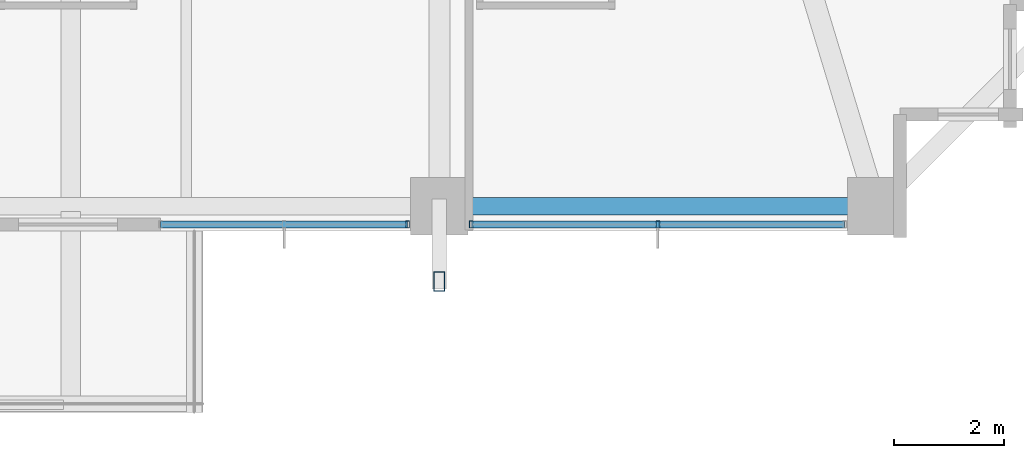
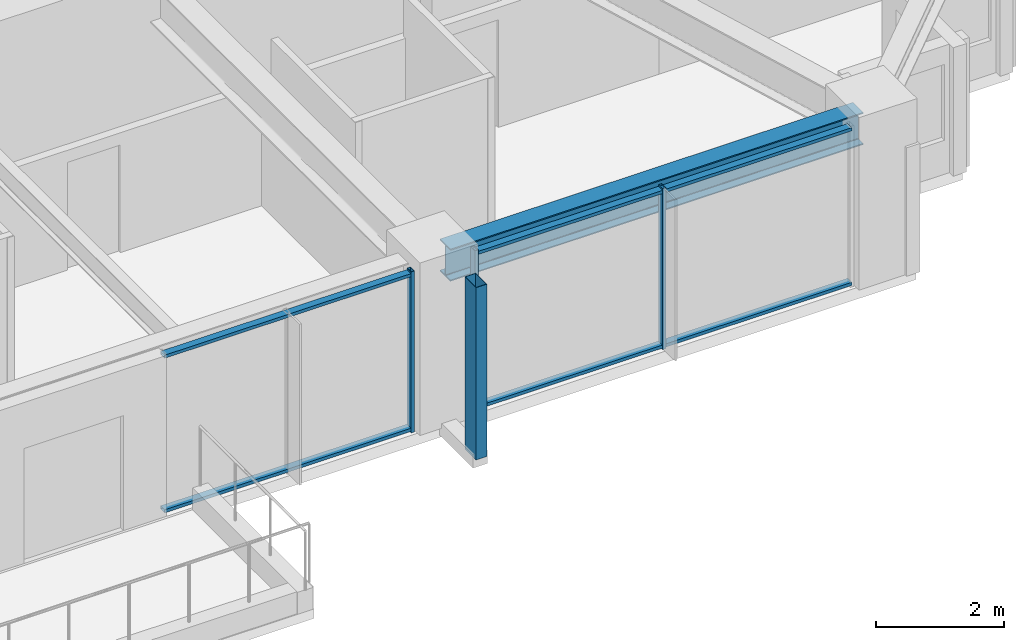
# One storey, part 6 of 38: 8 members, 1 beam, 2 elements without a shape of their own.
"""IFC4 building model written with IfcOpenShell, lengths in metres."""

import ifcopenshell
import ifcopenshell.guid

model = None  # the IFC model being written
_history = None  # IfcOwnerHistory: only IFC2X3 demands one
_inside = {}  # id of a spatial element -> (the spatial element, [elements in it])
_under = {}  # id of a project, library or spatial element -> (it, [spatial elements below it])
_declared = {}  # id of a project -> (the project, [libraries it declares])
_typed = {}  # id of a type object -> (the type object, [elements of that type])
_made_of = {}  # id of a material, layer set ... -> (it, [elements and type objects made of it])


def new_model(schema):
    """Start an empty IFC model of exactly this schema.

    Asked for "IFC4X3", IfcOpenShell would pick the latest addendum, in which some entities
    have other attributes; the version numbers below select the first issue.
    IFC2X3 requires an IfcOwnerHistory on every rooted entity: one is made here for all.
    """
    global model, _history
    if schema == "IFC4X3":
        model = ifcopenshell.file(schema_version=(4, 3, 0, 0))
    else:
        model = ifcopenshell.file(schema=schema)
    _inside.clear()
    _under.clear()
    _declared.clear()
    _typed.clear()
    _made_of.clear()
    _history = None
    if model.schema == "IFC2X3":
        org = make("IfcOrganization", Name="unknown")
        user = make(
            "IfcPersonAndOrganization",
            ThePerson=make("IfcPerson", FamilyName="unknown"),
            TheOrganization=org,
        )
        app = make(
            "IfcApplication",
            ApplicationDeveloper=org,
            Version="unknown",
            ApplicationFullName="unknown",
            ApplicationIdentifier="unknown",
        )
        _history = make(
            "IfcOwnerHistory",
            OwningUser=user,
            OwningApplication=app,
            ChangeAction="ADDED",
            CreationDate=0,
        )
    return model


def make(cls, **values):
    """One entity of the class cls with the attributes given. An attribute that is None is left unset."""
    return model.create_entity(
        cls, **{name: value for name, value in values.items() if value is not None}
    )


def rooted(cls, **values):
    """An entity with a GlobalId (a new one), such as an element, a storey or a relation."""
    return make(cls, GlobalId=ifcopenshell.guid.new(), OwnerHistory=_history, **values)


def si_unit(unit_type, name, prefix=None):
    """IfcSIUnit, for example si_unit("LENGTHUNIT", "METRE", prefix="MILLI")."""
    return make("IfcSIUnit", UnitType=unit_type, Prefix=prefix, Name=name)


def assignment(units):
    """IfcUnitAssignment: the units of a project."""
    return None if units is None else make("IfcUnitAssignment", Units=units)


def point(xyz):
    """IfcCartesianPoint."""
    return None if xyz is None else make("IfcCartesianPoint", Coordinates=xyz)


def direction(xyz):
    """IfcDirection."""
    return None if xyz is None else make("IfcDirection", DirectionRatios=xyz)


def frame(location, z_axis=None, x_axis=None):
    """IfcAxis2Placement3D, a coordinate frame: its origin and axes. An axis left out is left unset."""
    return make(
        "IfcAxis2Placement3D",
        Location=point(location),
        Axis=direction(z_axis),
        RefDirection=direction(x_axis),
    )


def frame_2d(location, x_axis=None):
    """IfcAxis2Placement2D, a coordinate frame in the plane: its origin and x axis."""
    return make(
        "IfcAxis2Placement2D", Location=point(location), RefDirection=direction(x_axis)
    )


def origin():
    """The frame at (0, 0, 0) with its axes left unset."""
    return frame((0.0, 0.0, 0.0))


def origin_2d():
    """The frame at (0, 0) in the plane with its x axis left unset."""
    return frame_2d((0.0, 0.0))


def place(relative_to, where):
    """IfcLocalPlacement: puts the frame where relative to a parent placement (None: the world)."""
    return make(
        "IfcLocalPlacement", PlacementRelTo=relative_to, RelativePlacement=where
    )


def context(
    kind, dimensions, precision=None, world=None, true_north=None, identifier=None
):
    """IfcGeometricRepresentationContext, for example the 3D "Model" context."""
    return make(
        "IfcGeometricRepresentationContext",
        ContextIdentifier=identifier,
        ContextType=kind,
        CoordinateSpaceDimension=dimensions,
        Precision=precision,
        WorldCoordinateSystem=world,
        TrueNorth=true_north,
    )


def subcontext(parent, identifier, kind, view, scale=None):
    """IfcGeometricRepresentationSubContext, for example "Body" below "Model"."""
    return make(
        "IfcGeometricRepresentationSubContext",
        ContextIdentifier=identifier,
        ContextType=kind,
        ParentContext=parent,
        TargetScale=scale,
        TargetView=view,
    )


def project(units=None, contexts=None):
    """IfcProject with its units and contexts."""
    return rooted(
        "IfcProject",
        Name="project",
        RepresentationContexts=contexts,
        UnitsInContext=assignment(units),
    )


def spatial(cls, under=None, at=None, **own):
    """A site, building, storey or space (cls), placed at a placement, below another one or the project."""
    s = rooted(cls, ObjectPlacement=at, **own)
    if under is not None:
        _under.setdefault(under.id(), (under, []))[1].append(s)
    return s


def profile(cls, at=None, kind="AREA", **sizes):
    """A parametric profile (cls). Its sizes go by their IFC names, for example OverallWidth=200.0."""
    return make(cls, ProfileType=kind, Position=at, **sizes)


def hollow_rectangle(**sizes):
    """IfcRectangleHollowProfileDef."""
    return profile("IfcRectangleHollowProfileDef", **sizes)


def i_section(**sizes):
    """IfcIShapeProfileDef."""
    return profile("IfcIShapeProfileDef", **sizes)


def extrude(swept, where, along, depth):
    """IfcExtrudedAreaSolid: the profile swept, set in the frame where, extruded along a direction by depth."""
    return make(
        "IfcExtrudedAreaSolid",
        SweptArea=swept,
        Position=where,
        ExtrudedDirection=direction(along),
        Depth=depth,
    )


def shape(context_of_items, identifier, shape_type, items):
    """IfcShapeRepresentation: the items that make up one representation, for example the "Body"."""
    return make(
        "IfcShapeRepresentation",
        ContextOfItems=context_of_items,
        RepresentationIdentifier=identifier,
        RepresentationType=shape_type,
        Items=items,
    )


def material(Name=None, Category=None):
    """IfcMaterial."""
    return make("IfcMaterial", Name=Name, Category=Category)


def material_profile(
    of_material, cross_section, Name=None, Category=None, Priority=None
):
    """IfcMaterialProfile: a cross section and its material."""
    return make(
        "IfcMaterialProfile",
        Name=Name,
        Material=of_material,
        Profile=cross_section,
        Priority=Priority,
        Category=Category,
    )


def profile_set(profiles, Name=None, composite=None):
    """IfcMaterialProfileSet."""
    return make(
        "IfcMaterialProfileSet",
        Name=Name,
        MaterialProfiles=profiles,
        CompositeProfile=composite,
    )


def made_of(thing, what):
    """Note that an element or type object is made of a material, layer set ...; save() writes the relation."""
    if what is not None:
        _made_of.setdefault(what.id(), (what, []))[1].append(thing)
    return thing


def type_object(cls, material=None, **own):
    """A type object (cls), such as IfcWallType, which elements share."""
    return made_of(rooted(cls, **own), material)


def element(
    cls,
    number,
    at=None,
    inside=None,
    cuts=None,
    type_object=None,
    material=None,
    context=None,
    identifier="Body",
    shape_type=None,
    held_by="IfcProductDefinitionShape",
    body=None,
    shapes=None,
    **own,
):
    """One element of the class cls, such as IfcWall. Its Tag is "e" and its number.

    at: its placement. inside: the storey or other place that contains it. cuts: it is an
    opening in that element (IfcRelVoidsElement). A single representation is given by context,
    identifier, shape_type and body (its items); several are given by shapes. held_by: the class
    of the entity that holds the representations. save() writes the other relations.
    """
    e = rooted(cls, Tag="e%d" % number, ObjectPlacement=at, **own)
    if body is not None:
        shapes = [shape(context, identifier, shape_type, body)]
    if shapes is not None:
        e.Representation = make(held_by, Representations=shapes)
    if inside is not None:
        _inside.setdefault(inside.id(), (inside, []))[1].append(e)
    if cuts is not None:
        rooted(
            "IfcRelVoidsElement", RelatingBuildingElement=cuts, RelatedOpeningElement=e
        )
    if type_object is not None:
        _typed.setdefault(type_object.id(), (type_object, []))[1].append(e)
    return made_of(e, material)


def aggregate(whole, parts):
    """IfcRelAggregates: a whole, such as a stair, and the parts it consists of."""
    return rooted("IfcRelAggregates", RelatingObject=whole, RelatedObjects=parts)


def save(model, path):
    """Write the relations noted so far, then the file.

    IfcRelAggregates (storeys below a building ...), IfcRelContainedInSpatialStructure (elements
    in a storey), IfcRelDefinesByType, IfcRelAssociatesMaterial and IfcRelDeclares: one each for
    every whole, place, type object, material and project.
    """
    for whole, parts in _under.values():
        aggregate(whole, parts)
    for where, things in _inside.values():
        rooted(
            "IfcRelContainedInSpatialStructure",
            RelatedElements=things,
            RelatingStructure=where,
        )
    for kind, things in _typed.values():
        rooted("IfcRelDefinesByType", RelatedObjects=things, RelatingType=kind)
    for what, things in _made_of.values():
        rooted("IfcRelAssociatesMaterial", RelatedObjects=things, RelatingMaterial=what)
    for by, libraries in _declared.values():
        rooted("IfcRelDeclares", RelatingContext=by, RelatedDefinitions=libraries)
    model.write(path)


model = new_model("IFC4")

# Units and contexts
model_context = context("Model", 3, precision=1e-05, world=origin(), true_north=direction((0.0, 1.0)))
body_context = subcontext(model_context, "Body", "Model", "MODEL_VIEW")
ifc_project = project(units=[si_unit("LENGTHUNIT", "METRE"), si_unit("AREAUNIT", "SQUARE_METRE"), si_unit("VOLUMEUNIT", "CUBIC_METRE"), si_unit("PLANEANGLEUNIT", "RADIAN"), si_unit("MASSUNIT", "GRAM", prefix="KILO")], contexts=[model_context])

# Site, building, storey
site_placement = place(None, origin())
site = spatial("IfcSite", under=ifc_project, at=site_placement, CompositionType="ELEMENT")
building_placement = place(site_placement, origin())
building = spatial("IfcBuilding", under=site, at=building_placement, Name="Kolvaren Belvedere", CompositionType="ELEMENT")
storey_placement = place(building_placement, frame((0.0, 0.0, 121.699951171875)))
storey = spatial("IfcBuildingStorey", under=building, at=storey_placement, Name="L35", CompositionType="ELEMENT", Elevation=121.699951171875)

# Beam
ifc_material_1 = material(Name="Structural steel ASTM A992 Grade 50", Category="steel")
ifc_material_profile_1 = material_profile(ifc_material_1, i_section(OverallWidth=0.324951171875, OverallDepth=0.615966796875, WebThickness=0.013916015625, FlangeThickness=0.021484375, FilletRadius=0.02001953125, at=origin_2d()), Name="W24X117")
ifc_profile_set_1 = profile_set([ifc_material_profile_1], Name="Structural steel ASTM A992 Grade 50")
beam_type = type_object("IfcBeamType", Name="BM-SPAN-W24X117", PredefinedType="SPANDREL", material=ifc_profile_set_1)
beam_placement = place(storey_placement, frame((4.836181640625, -18.64990234375, 2.77197265625), z_axis=(1.0, 0.0, 0.0), x_axis=(0.0, 1.0, 0.0)))
element("IfcBeam", 1, at=beam_placement, inside=storey, type_object=beam_type, Name="L35 Perimeter Spandrel S3-S4", PredefinedType="SPANDREL", context=body_context, shape_type="SweptSolid", body=[
    extrude(i_section(OverallWidth=0.324951171875, OverallDepth=0.615966796875, WebThickness=0.013916015625, FlangeThickness=0.021484375, FilletRadius=0.02001953125, at=origin_2d()), origin(), (0.0, 0.0, 1.0), 7.4775390625),
])

# Curtain wall, members
ifc_material_2 = material(Name="Anodised pale-metal aluminium AA 6063-T6", Category="aluminium")
curtain_wall_type = type_object("IfcCurtainWallType", Name="CW-Z3-WAIST", PredefinedType="NOTDEFINED", material=ifc_material_2)
curtain_wall_1_placement = place(storey_placement, origin())
curtain_wall_1 = element("IfcCurtainWall", 2, at=curtain_wall_1_placement, inside=storey, type_object=curtain_wall_type, Name="L35 Unitised Curtain Wall FCW-L35-S1-B1", PredefinedType="NOTDEFINED")
ifc_material_3 = material(Name="Anodised pale-metal aluminium AA 6063-T6", Category="aluminium")
ifc_material_profile_2 = material_profile(ifc_material_3, hollow_rectangle(XDim=0.06494140625, YDim=0.1298828125, WallThickness=0.00390625, at=origin_2d()), Name="ALU-MUL-130X65")
ifc_profile_set_2 = profile_set([ifc_material_profile_2], Name="Anodised pale-metal aluminium AA 6063-T6")
member_type_1 = type_object("IfcMemberType", Name="CW-MUL-130", PredefinedType="MULLION", material=ifc_profile_set_2)
member_1_placement = place(storey_placement, frame((8.574951171875, -18.97998046875, 0.0), z_axis=(0.0, 0.0, 1.0), x_axis=(1.0, 0.0, 0.0)))
member_1 = element("IfcMember", 3, at=member_1_placement, type_object=member_type_1, Name="FCW-L35-S1-B1 Unitised Mullion 2", PredefinedType="MULLION", context=body_context, shape_type="SweptSolid", body=[
    extrude(hollow_rectangle(XDim=0.06494140625, YDim=0.1298828125, WallThickness=0.00390625, at=origin_2d()), origin(), (0.0, 0.0, 1.0), 3.080078125),
])
member_2_placement = place(storey_placement, frame((5.177490234375, -18.97998046875, 0.0), z_axis=(0.0, 0.0, 1.0), x_axis=(1.0, 0.0, 0.0)))
member_2 = element("IfcMember", 4, at=member_2_placement, type_object=member_type_1, Name="FCW-L35-S1-B1 Unitised Mullion 3", PredefinedType="MULLION", context=body_context, shape_type="SweptSolid", body=[
    extrude(hollow_rectangle(XDim=0.06494140625, YDim=0.1298828125, WallThickness=0.00390625, at=origin_2d()), origin(), (0.0, 0.0, 1.0), 3.080078125),
])

# Curtain wall, member
curtain_wall_2_placement = place(storey_placement, origin())
curtain_wall_2 = element("IfcCurtainWall", 5, at=curtain_wall_2_placement, inside=storey, type_object=curtain_wall_type, Name="L35 Unitised Curtain Wall FCW-L35-S1-B2", PredefinedType="NOTDEFINED")
member_3_placement = place(storey_placement, frame((4.0224609375, -18.97998046875, 0.0), z_axis=(0.0, 0.0, 1.0), x_axis=(1.0, 0.0, 0.0)))
member_3 = element("IfcMember", 6, at=member_3_placement, type_object=member_type_1, Name="FCW-L35-S1-B2 Unitised Mullion 1", PredefinedType="MULLION", context=body_context, shape_type="SweptSolid", body=[
    extrude(hollow_rectangle(XDim=0.06494140625, YDim=0.1298828125, WallThickness=0.00390625, at=origin_2d()), origin(), (0.0, 0.0, 1.0), 3.080078125),
])

# Member
ifc_material_4 = material(Name="Anodised pale-metal aluminium AA 6063-T6", Category="aluminium")
ifc_material_profile_3 = material_profile(ifc_material_4, hollow_rectangle(XDim=0.06005859375, YDim=0.1298828125, WallThickness=0.00390625, at=origin_2d()), Name="ALU-TRN-130X60")
ifc_profile_set_3 = profile_set([ifc_material_profile_3], Name="Anodised pale-metal aluminium AA 6063-T6")
member_type_2 = type_object("IfcMemberType", Name="CW-TRN-130", PredefinedType="USERDEFINED", material=ifc_profile_set_3)
member_4_placement = place(storey_placement, frame((11.972412109375, -18.97998046875, 0.06005859375), z_axis=(-1.0, 0.0, 0.0), x_axis=(0.0, 0.0, 1.0)))
member_4 = element("IfcMember", 7, at=member_4_placement, type_object=member_type_2, Name="FCW-L35-S1-B1 Sill Transom", ObjectType="TRANSOM", PredefinedType="USERDEFINED", context=body_context, shape_type="SweptSolid", body=[
    extrude(hollow_rectangle(XDim=0.06005859375, YDim=0.1298828125, WallThickness=0.00390625, at=origin_2d()), origin(), (0.0, 0.0, 1.0), 6.794921875),
])

member_5_placement = place(storey_placement, frame((11.972412109375, -18.97998046875, 3.02001953125), z_axis=(-1.0, 0.0, 0.0), x_axis=(0.0, 0.0, 1.0)))
member_5 = element("IfcMember", 8, at=member_5_placement, type_object=member_type_2, Name="FCW-L35-S1-B1 Head Transom", ObjectType="TRANSOM", PredefinedType="USERDEFINED", context=body_context, shape_type="SweptSolid", body=[
    extrude(hollow_rectangle(XDim=0.06005859375, YDim=0.1298828125, WallThickness=0.00390625, at=origin_2d()), origin(), (0.0, 0.0, 1.0), 6.794921875),
])

aggregate(curtain_wall_1, [member_1, member_2, member_4, member_5])

member_6_placement = place(storey_placement, frame((4.0224609375, -18.97998046875, 0.06005859375), z_axis=(-1.0, 0.0, 0.0), x_axis=(0.0, 0.0, 1.0)))
member_6 = element("IfcMember", 9, at=member_6_placement, type_object=member_type_2, Name="FCW-L35-S1-B2 Sill Transom", ObjectType="TRANSOM", PredefinedType="USERDEFINED", context=body_context, shape_type="SweptSolid", body=[
    extrude(hollow_rectangle(XDim=0.06005859375, YDim=0.1298828125, WallThickness=0.00390625, at=origin_2d()), origin(), (0.0, 0.0, 1.0), 4.492431640625),
])

member_7_placement = place(storey_placement, frame((4.0224609375, -18.97998046875, 3.02001953125), z_axis=(-1.0, 0.0, 0.0), x_axis=(0.0, 0.0, 1.0)))
member_7 = element("IfcMember", 10, at=member_7_placement, type_object=member_type_2, Name="FCW-L35-S1-B2 Head Transom", ObjectType="TRANSOM", PredefinedType="USERDEFINED", context=body_context, shape_type="SweptSolid", body=[
    extrude(hollow_rectangle(XDim=0.06005859375, YDim=0.1298828125, WallThickness=0.00390625, at=origin_2d()), origin(), (0.0, 0.0, 1.0), 4.492431640625),
])

aggregate(curtain_wall_2, [member_3, member_6, member_7])

ifc_material_5 = material(Name="Anodised pale-metal aluminium AA 6063-T6", Category="aluminium")
ifc_material_profile_4 = material_profile(ifc_material_5, hollow_rectangle(XDim=0.199951171875, YDim=0.35009765625, WallThickness=0.007568359375, at=origin_2d()), Name="ALU-PF-350X200")
ifc_profile_set_4 = profile_set([ifc_material_profile_4], Name="Anodised pale-metal aluminium AA 6063-T6")
member_type_3 = type_object("IfcMemberType", Name="PF-FRAME-350", PredefinedType="USERDEFINED", material=ifc_profile_set_4)
member_8_placement = place(storey_placement, frame((4.60009765625, -20.02001953125, 0.0), z_axis=(0.0, 0.0, 1.0), x_axis=(1.0, 0.0, 0.0)))
element("IfcMember", 11, at=member_8_placement, inside=storey, type_object=member_type_3, Name="L35 Outboard Picture-Frame Vertical S1", ObjectType="PICTURE FRAME FIN", PredefinedType="USERDEFINED", context=body_context, shape_type="SweptSolid", body=[
    extrude(hollow_rectangle(XDim=0.199951171875, YDim=0.35009765625, WallThickness=0.007568359375, at=origin_2d()), origin(), (0.0, 0.0, 1.0), 3.300048828125),
])

save(model, "model.ifc")
